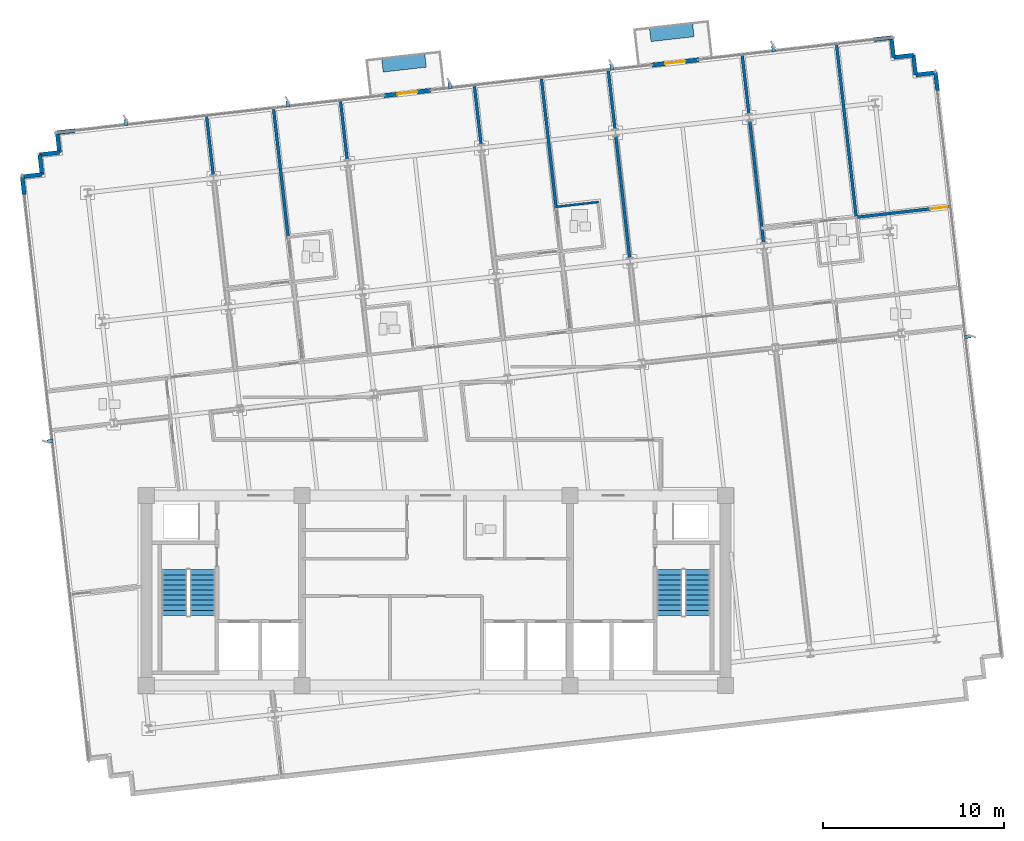
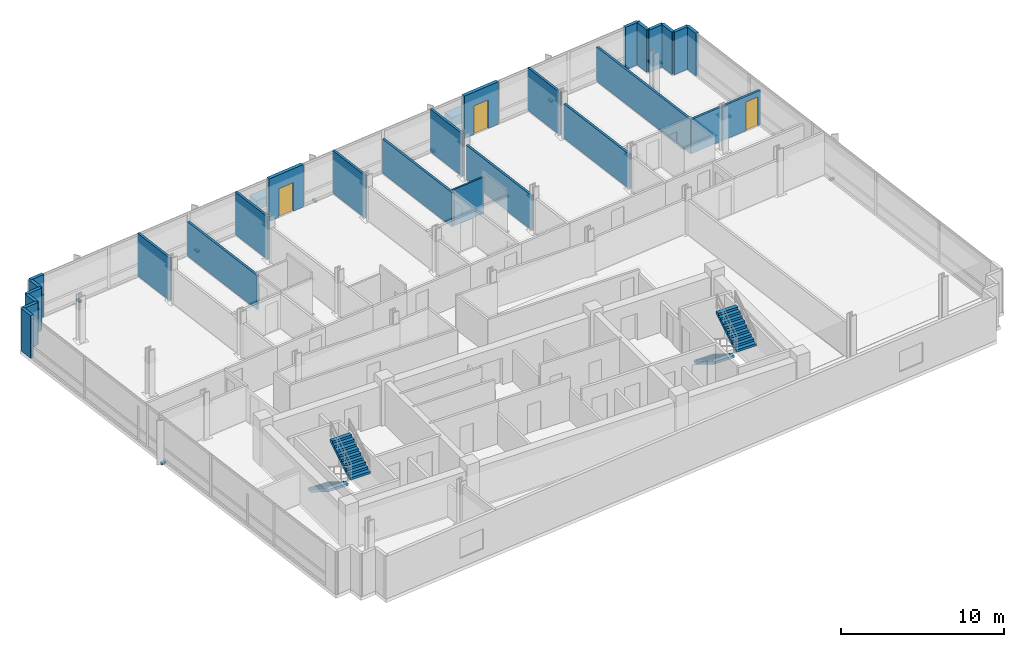
# One storey, part 11 of 16: 26 walls, 9 discrete accessories, 4 stair flights, 3 doors, 3 openings, 2 elements without a shape of their own.
"""IFC4 building model written with IfcOpenShell, lengths in metres."""

from ifc_helpers import new_model, si_unit, direction, frame, frame_2d, origin, origin_2d, place, context, subcontext, project, spatial, polyline, rectangle, outline, extrude, material, layer, layer_set, type_object, element, fill, aggregate, save


model = new_model("IFC4")

# Units and contexts
model_context = context("Model", 3, precision=1e-05, world=origin(), true_north=direction((0.0, 1.0)))
body_context = subcontext(model_context, "Body", "Model", "MODEL_VIEW")
ifc_project = project(units=[si_unit("LENGTHUNIT", "METRE"), si_unit("AREAUNIT", "SQUARE_METRE"), si_unit("VOLUMEUNIT", "CUBIC_METRE"), si_unit("PLANEANGLEUNIT", "RADIAN"), si_unit("MASSUNIT", "GRAM", prefix="KILO")], contexts=[model_context])

# Site, building, storey
site_placement = place(None, origin())
site = spatial("IfcSite", under=ifc_project, at=site_placement, CompositionType="ELEMENT")
building_placement = place(site_placement, origin())
building = spatial("IfcBuilding", under=site, at=building_placement, Name="Solmavex Isthmus Hotel", CompositionType="ELEMENT")
storey_placement = place(building_placement, frame((0.0, 0.0, 205.5)))
storey = spatial("IfcBuildingStorey", under=building, at=storey_placement, Name="L55", CompositionType="ELEMENT", Elevation=205.5)

# Wall, opening, door
ifc_material_1 = material(Name="Precast Concrete C40/50", Category="concrete")
ifc_layer_1 = layer(ifc_material_1, 0.25)
ifc_layer_set_1 = layer_set([ifc_layer_1], Name="Precast Concrete C40/50")
wall_type_1 = type_object("IfcWallType", Name="EW-TWR-250", PredefinedType="STANDARD", material=ifc_layer_set_1)
wall_1_placement = place(storey_placement, frame((-2.871337890625, 19.59326171875, 0.0), z_axis=(0.0, 0.0, 1.0), x_axis=(0.993577691497, 0.113151981689, 0.0)))
wall_1 = element("IfcWall", 1, at=wall_1_placement, inside=storey, type_object=wall_type_1, Name="Exterior Balcony Door Wall L55-2", PredefinedType="STANDARD", context=body_context, shape_type="SweptSolid", body=[
    extrude(rectangle(XDim=2.599853515625, YDim=0.239990234375, at=frame_2d((1.2998046875, 0.0))), origin(), (0.0, 0.0, 1.0), 3.18994140625),
])
opening_1_placement = place(wall_1_placement, frame((0.75, 0.0, 0.0)))
opening_1 = element("IfcOpeningElement", 2, at=opening_1_placement, cuts=wall_1, Name="Opening ED-02", PredefinedType="OPENING", context=body_context, shape_type="SweptSolid", body=[
    extrude(rectangle(XDim=1.10009765625, YDim=2.14990234375, at=frame_2d((0.550048828125, 1.074951171875))), frame((0.0, 0.1298828125, 0.0), z_axis=(0.0, -1.0, 0.0), x_axis=(1.0, 0.0, 0.0)), (0.0, 0.0, 1.0), 0.260009765625),
])
ifc_material_2 = material(Name="Aluminium alloy 6063-T6", Category="aluminium")
door_type_1 = type_object("IfcDoorType", Name="EDR-BALC-1100", OperationType="NOTDEFINED", PredefinedType="DOOR", material=ifc_material_2)
door_1_placement = place(opening_1_placement, origin())
door_1 = element("IfcDoor", 3, at=door_1_placement, inside=storey, type_object=door_type_1, Name="Balcony & Terrace Glazed Door L55-2", OperationType="SINGLE_SWING_RIGHT", OverallHeight=2.14990234375, OverallWidth=1.10009765625, PredefinedType="DOOR", context=body_context, shape_type="SweptSolid", body=[
    extrude(rectangle(XDim=1.10009765625, YDim=2.14990234375, at=frame_2d((0.550048828125, 1.074951171875))), frame((0.0, 0.02490234375, 0.0), z_axis=(0.0, -1.0, 0.0), x_axis=(1.0, 0.0, 0.0)), (0.0, 0.0, 1.0), 0.050048828125),
])
fill(opening_1, door_1)

wall_2_placement = place(storey_placement, frame((11.9248046875, 21.279052734375, 0.0), z_axis=(0.0, 0.0, 1.0), x_axis=(0.993567130319, 0.113244680008, 0.0)))
wall_2 = element("IfcWall", 4, at=wall_2_placement, inside=storey, type_object=wall_type_1, Name="Exterior Balcony Door Wall L55-3", PredefinedType="STANDARD", context=body_context, shape_type="SweptSolid", body=[
    extrude(rectangle(XDim=2.60009765625, YDim=0.239990234375, at=frame_2d((1.300048828125, 0.0))), origin(), (0.0, 0.0, 1.0), 3.18994140625),
])
opening_2_placement = place(wall_2_placement, frame((0.75, 0.0, 0.0)))
opening_2 = element("IfcOpeningElement", 5, at=opening_2_placement, cuts=wall_2, Name="Opening ED-02", PredefinedType="OPENING", context=body_context, shape_type="SweptSolid", body=[
    extrude(rectangle(XDim=1.10009765625, YDim=2.14990234375, at=frame_2d((0.550048828125, 1.074951171875))), frame((0.0, 0.1298828125, 0.0), z_axis=(0.0, -1.0, 0.0), x_axis=(1.0, 0.0, 0.0)), (0.0, 0.0, 1.0), 0.260009765625),
])
door_2_placement = place(opening_2_placement, origin())
door_2 = element("IfcDoor", 6, at=door_2_placement, inside=storey, type_object=door_type_1, Name="Balcony & Terrace Glazed Door L55-3", OperationType="SINGLE_SWING_LEFT", OverallHeight=2.14990234375, OverallWidth=1.10009765625, PredefinedType="DOOR", context=body_context, shape_type="SweptSolid", body=[
    extrude(rectangle(XDim=1.10009765625, YDim=2.14990234375, at=frame_2d((0.550048828125, 1.074951171875))), frame((0.0, 0.02490234375, 0.0), z_axis=(0.0, -1.0, 0.0), x_axis=(1.0, 0.0, 0.0)), (0.0, 0.0, 1.0), 0.050048828125),
])
fill(opening_2, door_2)

# Walls
wall_3_placement = place(storey_placement, frame((-22.74755859375, 14.128173828125, 0.0), z_axis=(0.0, 0.0, 1.0), x_axis=(-0.113191877531, 0.993573147212, 0.0)))
element("IfcWall", 7, at=wall_3_placement, inside=storey, type_object=wall_type_1, Name="Serrated Corner Facade Panel L55-07", PredefinedType="STANDARD", context=body_context, shape_type="SweptSolid", body=[
    extrude(rectangle(XDim=0.989990234375, YDim=0.219970703125, at=frame_2d((0.4951171875, 0.0))), origin(), (0.0, 0.0, 1.0), 3.18994140625),
])
wall_4_placement = place(storey_placement, frame((-22.859619140625, 15.11181640625, 0.0), z_axis=(0.0, 0.0, 1.0), x_axis=(0.99357409499, 0.113183557839, 0.0)))
element("IfcWall", 8, at=wall_4_placement, inside=storey, type_object=wall_type_1, Name="Serrated Corner Facade Panel L55-08", PredefinedType="STANDARD", context=body_context, shape_type="SweptSolid", body=[
    extrude(rectangle(XDim=1.10009765625, YDim=0.219970703125, at=frame_2d((0.550048828125, 0.0))), origin(), (0.0, 0.0, 1.0), 3.18994140625),
])
wall_5_placement = place(storey_placement, frame((-21.7666015625, 15.236328125, 0.0), z_axis=(0.0, 0.0, 1.0), x_axis=(-0.11320852056, 0.99357125103, 0.0)))
element("IfcWall", 9, at=wall_5_placement, inside=storey, type_object=wall_type_1, Name="Serrated Corner Facade Panel L55-09", PredefinedType="STANDARD", context=body_context, shape_type="SweptSolid", body=[
    extrude(rectangle(XDim=1.099853515625, YDim=0.219970703125, at=frame_2d((0.5498046875, 0.0))), origin(), (0.0, 0.0, 1.0), 3.18994140625),
])
for number, where, z_axis, x_axis, name in (
    (10, (-21.89111328125, 16.3291015625, 0.0), (0.0, 0.0, 1.0), (0.99357409499, 0.113183557839, 0.0), "Serrated Corner Facade Panel L55-10"),
    (11, (-20.798095703125, 16.45361328125, 0.0), (0.0, 0.0, 1.0), (-0.113402635104, 0.993549114212, 0.0), "Serrated Corner Facade Panel L55-11"),
):
    element("IfcWall", number, at=place(storey_placement, frame(where, z_axis=z_axis, x_axis=x_axis)), inside=storey, type_object=wall_type_1, Name=name, PredefinedType="STANDARD", context=body_context, shape_type="SweptSolid", body=[
        extrude(rectangle(XDim=1.10009765625, YDim=0.219970703125, at=frame_2d((0.550048828125, 0.0))), origin(), (0.0, 0.0, 1.0), 3.18994140625),
    ])
for number, where, z_axis, x_axis, name in (
    (12, (-20.9228515625, 17.546630859375, 0.0), (0.0, 0.0, 1.0), (0.993573147212, 0.113191877531, 0.0), "Serrated Corner Facade Panel L55-12"),
    (13, (24.175537109375, 22.684814453125, 0.0), (0.0, 0.0, 1.0), (0.993573147212, 0.113191877531, 0.0), "Serrated Corner Facade Panel L55-14"),
):
    element("IfcWall", number, at=place(storey_placement, frame(where, z_axis=z_axis, x_axis=x_axis)), inside=storey, type_object=wall_type_1, Name=name, PredefinedType="STANDARD", context=body_context, shape_type="SweptSolid", body=[
        extrude(rectangle(XDim=0.989990234375, YDim=0.219970703125, at=frame_2d((0.4951171875, 0.0))), origin(), (0.0, 0.0, 1.0), 3.18994140625),
    ])
for number, where, z_axis, x_axis, name in (
    (14, (25.1591796875, 22.796875, 0.0), (0.0, 0.0, 1.0), (0.11320852056, -0.99357125103, 0.0), "Serrated Corner Facade Panel L55-15"),
    (15, (25.28369140625, 21.7041015625, 0.0), (0.0, 0.0, 1.0), (0.99357125103, 0.11320852056, 0.0), "Serrated Corner Facade Panel L55-16"),
):
    element("IfcWall", number, at=place(storey_placement, frame(where, z_axis=z_axis, x_axis=x_axis)), inside=storey, type_object=wall_type_1, Name=name, PredefinedType="STANDARD", context=body_context, shape_type="SweptSolid", body=[
        extrude(rectangle(XDim=1.099853515625, YDim=0.219970703125, at=frame_2d((0.5498046875, 0.0))), origin(), (0.0, 0.0, 1.0), 3.18994140625),
    ])
wall_6_placement = place(storey_placement, frame((26.37646484375, 21.82861328125, 0.0), z_axis=(0.0, 0.0, 1.0), x_axis=(0.113402635104, -0.993549114212, 0.0)))
element("IfcWall", 16, at=wall_6_placement, inside=storey, type_object=wall_type_1, Name="Serrated Corner Facade Panel L55-17", PredefinedType="STANDARD", context=body_context, shape_type="SweptSolid", body=[
    extrude(rectangle(XDim=1.10009765625, YDim=0.219970703125, at=frame_2d((0.550048828125, 0.0))), origin(), (0.0, 0.0, 1.0), 3.18994140625),
])
wall_7_placement = place(storey_placement, frame((26.501220703125, 20.735595703125, 0.0), z_axis=(0.0, 0.0, 1.0), x_axis=(0.99357125103, 0.11320852056, 0.0)))
element("IfcWall", 17, at=wall_7_placement, inside=storey, type_object=wall_type_1, Name="Serrated Corner Facade Panel L55-18", PredefinedType="STANDARD", context=body_context, shape_type="SweptSolid", body=[
    extrude(rectangle(XDim=1.099853515625, YDim=0.219970703125, at=frame_2d((0.5498046875, 0.0))), origin(), (0.0, 0.0, 1.0), 3.18994140625),
])
wall_8_placement = place(storey_placement, frame((27.593994140625, 20.860107421875, 0.0), z_axis=(0.0, 0.0, 1.0), x_axis=(0.113191877531, -0.993573147212, 0.0)))
element("IfcWall", 18, at=wall_8_placement, inside=storey, type_object=wall_type_1, Name="Serrated Corner Facade Panel L55-19", PredefinedType="STANDARD", context=body_context, shape_type="SweptSolid", body=[
    extrude(rectangle(XDim=0.989990234375, YDim=0.219970703125, at=frame_2d((0.4951171875, 0.0))), origin(), (0.0, 0.0, 1.0), 3.18994140625),
])
ifc_material_3 = material(Name="Gypsum plasterboard lining", Category="gypsum")
ifc_layer_2 = layer(ifc_material_3, 0.159912109375)
ifc_layer_set_2 = layer_set([ifc_layer_2], Name="Gypsum plasterboard lining")
wall_type_2 = type_object("IfcWallType", Name="IW-COMP-160", PredefinedType="PARTITIONING", material=ifc_layer_set_2)
wall_9_placement = place(storey_placement, frame((-12.681396484375, 18.515869140625, 0.0), z_axis=(0.0, 0.0, 1.0), x_axis=(0.113171804991, -0.993575433752, 0.0)))
element("IfcWall", 19, at=wall_9_placement, inside=storey, type_object=wall_type_2, Name="Interior Partition Wall W-L55-P028", PredefinedType="PARTITIONING", context=body_context, shape_type="SweptSolid", body=[
    extrude(rectangle(XDim=3.34375, YDim=0.159912109375, at=frame_2d((1.671875, 0.0))), origin(), (0.0, 0.0, 1.0), 3.18994140625),
])
wall_10_placement = place(storey_placement, frame((-8.96875, 18.81787109375, 0.0), z_axis=(0.0, 0.0, 1.0), x_axis=(0.113202494332, -0.993571937646, 0.0)))
element("IfcWall", 20, at=wall_10_placement, inside=storey, type_object=wall_type_2, Name="Interior Partition Wall W-L55-P032", PredefinedType="PARTITIONING", context=body_context, shape_type="SweptSolid", body=[
    extrude(rectangle(XDim=7.183837890625, YDim=0.159912109375, at=frame_2d((3.591796875, 0.0))), origin(), (0.0, 0.0, 1.0), 2.5576171875),
])
wall_11_placement = place(storey_placement, frame((-5.283447265625, 19.358642578125, 0.0), z_axis=(0.0, 0.0, 1.0), x_axis=(0.113252098743, -0.993566284719, 0.0)))
element("IfcWall", 21, at=wall_11_placement, inside=storey, type_object=wall_type_2, Name="Interior Partition Wall W-L55-P037", PredefinedType="PARTITIONING", context=body_context, shape_type="SweptSolid", body=[
    extrude(rectangle(XDim=3.343505859375, YDim=0.159912109375, at=frame_2d((1.671875, 0.0))), origin(), (0.0, 0.0, 1.0), 3.18994140625),
])
wall_12_placement = place(storey_placement, frame((2.11474609375, 20.20166015625, 0.0), z_axis=(0.0, 0.0, 1.0), x_axis=(0.113243883011, -0.993567221158, 0.0)))
element("IfcWall", 22, at=wall_12_placement, inside=storey, type_object=wall_type_2, Name="Interior Partition Wall W-L55-P044", PredefinedType="PARTITIONING", context=body_context, shape_type="SweptSolid", body=[
    extrude(rectangle(XDim=3.34375, YDim=0.159912109375, at=frame_2d((1.671875, 0.0))), origin(), (0.0, 0.0, 1.0), 3.18994140625),
])
wall_13_placement = place(storey_placement, frame((5.827392578125, 20.50390625, 0.0), z_axis=(0.0, 0.0, 1.0), x_axis=(0.113198672056, -0.993572373129, 0.0)))
element("IfcWall", 23, at=wall_13_placement, inside=storey, type_object=wall_type_2, Name="Interior Partition Wall W-L55-P047", PredefinedType="PARTITIONING", context=body_context, shape_type="SweptSolid", body=[
    extrude(rectangle(XDim=7.18408203125, YDim=0.159912109375, at=frame_2d((3.592041015625, 0.0))), origin(), (0.0, 0.0, 1.0), 2.5576171875),
])
wall_14_placement = place(storey_placement, frame((9.512939453125, 21.04443359375, 0.0), z_axis=(0.0, 0.0, 1.0), x_axis=(0.113180015629, -0.993574498496, 0.0)))
element("IfcWall", 24, at=wall_14_placement, inside=storey, type_object=wall_type_2, Name="Interior Partition Wall W-L55-P052", PredefinedType="PARTITIONING", context=body_context, shape_type="SweptSolid", body=[
    extrude(rectangle(XDim=3.343505859375, YDim=0.159912109375, at=frame_2d((1.671875, 0.0))), origin(), (0.0, 0.0, 1.0), 3.18994140625),
])
wall_15_placement = place(storey_placement, frame((9.931396484375, 17.371826171875, 0.0), z_axis=(0.0, 0.0, 1.0), x_axis=(0.113217453743, -0.993570233133, 0.0)))
element("IfcWall", 25, at=wall_15_placement, inside=storey, type_object=wall_type_2, Name="Interior Partition Wall W-L55-P053", PredefinedType="PARTITIONING", context=body_context, shape_type="SweptSolid", body=[
    extrude(rectangle(XDim=6.799072265625, YDim=0.159912109375, at=frame_2d((3.3994140625, 0.0))), origin(), (0.0, 0.0, 1.0), 2.572265625),
])
wall_16_placement = place(storey_placement, frame((17.32958984375, 18.21484375, 0.0), z_axis=(0.0, 0.0, 1.0), x_axis=(0.113177968069, -0.993574731736, 0.0)))
element("IfcWall", 26, at=wall_16_placement, inside=storey, type_object=wall_type_2, Name="Interior Partition Wall W-L55-P055", PredefinedType="PARTITIONING", context=body_context, shape_type="SweptSolid", body=[
    extrude(rectangle(XDim=6.79931640625, YDim=0.159912109375, at=frame_2d((3.399658203125, 0.0))), origin(), (0.0, 0.0, 1.0), 2.572265625),
])
wall_17_placement = place(storey_placement, frame((16.9111328125, 21.887451171875, 0.0), z_axis=(0.0, 0.0, 1.0), x_axis=(0.113171804991, -0.993575433752, 0.0)))
element("IfcWall", 27, at=wall_17_placement, inside=storey, type_object=wall_type_2, Name="Interior Partition Wall W-L55-P057", PredefinedType="PARTITIONING", context=body_context, shape_type="SweptSolid", body=[
    extrude(rectangle(XDim=3.34375, YDim=0.159912109375, at=frame_2d((1.671875, 0.0))), origin(), (0.0, 0.0, 1.0), 3.18994140625),
])

# Wall, opening, door
wall_18_placement = place(storey_placement, frame((23.176513671875, 12.86669921875, 0.0), z_axis=(0.0, 0.0, 1.0), x_axis=(0.993570013337, 0.113219382606, 0.0)))
wall_18 = element("IfcWall", 28, at=wall_18_placement, inside=storey, type_object=wall_type_2, Name="Interior Partition Wall W-L55-P059", PredefinedType="PARTITIONING", context=body_context, shape_type="SweptSolid", body=[
    extrude(rectangle(XDim=5.323974609375, YDim=0.159912109375, at=frame_2d((2.662109375, 0.0))), origin(), (0.0, 0.0, 1.0), 2.5576171875),
])
opening_3_placement = place(wall_18_placement, frame((4.1640625, 0.0, 0.0)))
opening_3 = element("IfcOpeningElement", 29, at=opening_3_placement, cuts=wall_18, Name="Opening ID-C095", PredefinedType="OPENING", context=body_context, shape_type="SweptSolid", body=[
    extrude(rectangle(XDim=0.949951171875, YDim=2.14990234375, at=frame_2d((0.47509765625, 1.074951171875))), frame((0.0, 0.08984375, 0.0), z_axis=(0.0, -1.0, 0.0), x_axis=(1.0, 0.0, 0.0)), (0.0, 0.0, 1.0), 0.179931640625),
])
ifc_material_4 = material(Name="Hardwood timber", Category="wood")
door_type_2 = type_object("IfcDoorType", Name="IDR-FD60-0950", OperationType="NOTDEFINED", PredefinedType="DOOR", material=ifc_material_4)
door_3_placement = place(opening_3_placement, origin())
door_3 = element("IfcDoor", 30, at=door_3_placement, inside=storey, type_object=door_type_2, Name="Diplomatic Hospitality Suite Sitting Lounge Door L55-15", OperationType="SINGLE_SWING_LEFT", OverallHeight=2.14990234375, OverallWidth=0.949951171875, PredefinedType="DOOR", context=body_context, shape_type="SweptSolid", body=[
    extrude(rectangle(XDim=0.949951171875, YDim=2.14990234375, at=frame_2d((0.47509765625, 1.074951171875))), frame((0.0, 0.02490234375, 0.0), z_axis=(0.0, -1.0, 0.0), x_axis=(1.0, 0.0, 0.0)), (0.0, 0.0, 1.0), 0.050048828125),
])
fill(opening_3, door_3)

# Walls
wall_19_placement = place(storey_placement, frame((22.121337890625, 22.48095703125, 0.0), z_axis=(0.0, 0.0, 1.0), x_axis=(0.113198474286, -0.993572395661, 0.0)))
element("IfcWall", 31, at=wall_19_placement, inside=storey, type_object=wall_type_2, Name="Interior Partition Wall W-L55-P064", PredefinedType="PARTITIONING", context=body_context, shape_type="SweptSolid", body=[
    extrude(rectangle(XDim=9.7119140625, YDim=0.159912109375, at=frame_2d((4.85595703125, 0.0))), origin(), (0.0, 0.0, 1.0), 2.5576171875),
])
ifc_layer_3 = layer(ifc_material_3, 0.1201171875)
ifc_layer_set_3 = layer_set([ifc_layer_3], Name="Gypsum plasterboard lining")
wall_type_3 = type_object("IfcWallType", Name="IW-PART-120", PredefinedType="PARTITIONING", material=ifc_layer_set_3)
wall_20_placement = place(storey_placement, frame((8.979248046875, 13.715087890625, 0.0), z_axis=(0.0, 0.0, 1.0), x_axis=(-0.993562439402, -0.11328582881, 0.0)))
element("IfcWall", 32, at=wall_20_placement, inside=storey, type_object=wall_type_3, Name="Interior Partition Wall W-L55-P051", PredefinedType="PARTITIONING", context=body_context, shape_type="SweptSolid", body=[
    extrude(rectangle(XDim=2.40283203125, YDim=0.1201171875, at=frame_2d((1.201416015625, 0.0))), origin(), (0.0, 0.0, 1.0), 2.718017578125),
])

# Stair, stair flights
ifc_material_5 = material(Name="Concrete C40/50", Category="concrete")
stair_type_1 = type_object("IfcStairType", Name="STR-ST-1", PredefinedType="HALF_TURN_STAIR", material=ifc_material_5)
stair_1_placement = place(storey_placement, origin())
stair_1 = element("IfcStair", 33, at=stair_1_placement, inside=storey, type_object=stair_type_1, Name="L55 Protected Exit Stair ST-1", PredefinedType="HALF_TURN_STAIR")
stair_flight_type_1 = type_object("IfcStairFlightType", Name="SFL-ST-1", PredefinedType="STRAIGHT", material=ifc_material_5)
stair_flight_1_placement = place(storey_placement, frame((-14.449951171875, -6.60009765625, 0.0), z_axis=(0.0, 0.0, 1.0), x_axis=(0.0, -1.0, 0.0)))
stair_flight_1 = element("IfcStairFlight", 34, at=stair_flight_1_placement, type_object=stair_flight_type_1, Name="ST-1 flight 1", NumberOfRisers=10, NumberOfTreads=9, PredefinedType="STRAIGHT", RiserHeight=0.1725, TreadLength=0.28, context=body_context, shape_type="SweptSolid", body=[
    extrude(outline(polyline([(0.0, 0.0), (0.0, 0.172607421875), (0.280029296875, 0.172607421875), (0.280029296875, 0.344970703125), (0.56005859375, 0.344970703125), (0.56005859375, 0.517578125), (0.840087890625, 0.517578125), (0.840087890625, 0.68994140625), (1.1201171875, 0.68994140625), (1.1201171875, 0.862548828125), (1.39990234375, 0.862548828125), (1.39990234375, 1.034912109375), (1.679931640625, 1.034912109375), (1.679931640625, 1.20751953125), (1.9599609375, 1.20751953125), (1.9599609375, 1.3798828125), (2.239990234375, 1.3798828125), (2.239990234375, 1.552490234375), (2.52001953125, 1.552490234375), (2.52001953125, 1.72509765625), (2.52001953125, 1.37646484375), (0.285888671875, 0.0), (0.0, 0.0)])), frame((0.0, 0.699951171875, 0.0), z_axis=(0.0, -1.0, 0.0), x_axis=(1.0, 0.0, 0.0)), (0.0, 0.0, 1.0), 1.39990234375),
])
stair_flight_2_placement = place(storey_placement, frame((-12.89990234375, -9.1201171875, 1.72509765625), z_axis=(0.0, 0.0, 1.0), x_axis=(0.0, 1.0, 0.0)))
stair_flight_2 = element("IfcStairFlight", 35, at=stair_flight_2_placement, type_object=stair_flight_type_1, Name="ST-1 flight 2", NumberOfRisers=10, NumberOfTreads=9, PredefinedType="STRAIGHT", RiserHeight=0.1725, TreadLength=0.28, context=body_context, shape_type="SweptSolid", body=[
    extrude(outline(polyline([(0.0, 0.0), (0.0, 0.172607421875), (0.280029296875, 0.172607421875), (0.280029296875, 0.344970703125), (0.56005859375, 0.344970703125), (0.56005859375, 0.517578125), (0.840087890625, 0.517578125), (0.840087890625, 0.68994140625), (1.1201171875, 0.68994140625), (1.1201171875, 0.862548828125), (1.39990234375, 0.862548828125), (1.39990234375, 1.034912109375), (1.679931640625, 1.034912109375), (1.679931640625, 1.20751953125), (1.9599609375, 1.20751953125), (1.9599609375, 1.3798828125), (2.239990234375, 1.3798828125), (2.239990234375, 1.552490234375), (2.52001953125, 1.552490234375), (2.52001953125, 1.72509765625), (2.52001953125, 1.37646484375), (0.285888671875, 0.0), (0.0, 0.0)])), frame((0.0, 0.699951171875, 0.0), z_axis=(0.0, -1.0, 0.0), x_axis=(1.0, 0.0, 0.0)), (0.0, 0.0, 1.0), 1.39990234375),
])
aggregate(stair_1, [stair_flight_1, stair_flight_2])

stair_type_2 = type_object("IfcStairType", Name="STR-ST-2", PredefinedType="HALF_TURN_STAIR", material=ifc_material_5)
stair_2_placement = place(storey_placement, origin())
stair_2 = element("IfcStair", 36, at=stair_2_placement, inside=storey, type_object=stair_type_2, Name="L55 Protected Exit Stair ST-2", PredefinedType="HALF_TURN_STAIR")
stair_flight_type_2 = type_object("IfcStairFlightType", Name="SFL-ST-2", PredefinedType="STRAIGHT", material=ifc_material_5)
stair_flight_3_placement = place(storey_placement, frame((12.89990234375, -6.60009765625, 0.0), z_axis=(0.0, 0.0, 1.0), x_axis=(0.0, -1.0, 0.0)))
stair_flight_3 = element("IfcStairFlight", 37, at=stair_flight_3_placement, type_object=stair_flight_type_2, Name="ST-2 flight 1", NumberOfRisers=10, NumberOfTreads=9, PredefinedType="STRAIGHT", RiserHeight=0.1725, TreadLength=0.28, context=body_context, shape_type="SweptSolid", body=[
    extrude(outline(polyline([(0.0, 0.0), (0.0, 0.172607421875), (0.280029296875, 0.172607421875), (0.280029296875, 0.344970703125), (0.56005859375, 0.344970703125), (0.56005859375, 0.517578125), (0.840087890625, 0.517578125), (0.840087890625, 0.68994140625), (1.1201171875, 0.68994140625), (1.1201171875, 0.862548828125), (1.39990234375, 0.862548828125), (1.39990234375, 1.034912109375), (1.679931640625, 1.034912109375), (1.679931640625, 1.20751953125), (1.9599609375, 1.20751953125), (1.9599609375, 1.3798828125), (2.239990234375, 1.3798828125), (2.239990234375, 1.552490234375), (2.52001953125, 1.552490234375), (2.52001953125, 1.72509765625), (2.52001953125, 1.37646484375), (0.285888671875, 0.0), (0.0, 0.0)])), frame((0.0, 0.699951171875, 0.0), z_axis=(0.0, -1.0, 0.0), x_axis=(1.0, 0.0, 0.0)), (0.0, 0.0, 1.0), 1.39990234375),
])
stair_flight_4_placement = place(storey_placement, frame((14.449951171875, -9.1201171875, 1.72509765625), z_axis=(0.0, 0.0, 1.0), x_axis=(0.0, 1.0, 0.0)))
stair_flight_4 = element("IfcStairFlight", 38, at=stair_flight_4_placement, type_object=stair_flight_type_2, Name="ST-2 flight 2", NumberOfRisers=10, NumberOfTreads=9, PredefinedType="STRAIGHT", RiserHeight=0.1725, TreadLength=0.28, context=body_context, shape_type="SweptSolid", body=[
    extrude(outline(polyline([(0.0, 0.0), (0.0, 0.172607421875), (0.280029296875, 0.172607421875), (0.280029296875, 0.344970703125), (0.56005859375, 0.344970703125), (0.56005859375, 0.517578125), (0.840087890625, 0.517578125), (0.840087890625, 0.68994140625), (1.1201171875, 0.68994140625), (1.1201171875, 0.862548828125), (1.39990234375, 0.862548828125), (1.39990234375, 1.034912109375), (1.679931640625, 1.034912109375), (1.679931640625, 1.20751953125), (1.9599609375, 1.20751953125), (1.9599609375, 1.3798828125), (2.239990234375, 1.3798828125), (2.239990234375, 1.552490234375), (2.52001953125, 1.552490234375), (2.52001953125, 1.72509765625), (2.52001953125, 1.37646484375), (0.285888671875, 0.0), (0.0, 0.0)])), frame((0.0, 0.699951171875, 0.0), z_axis=(0.0, -1.0, 0.0), x_axis=(1.0, 0.0, 0.0)), (0.0, 0.0, 1.0), 1.39990234375),
])
aggregate(stair_2, [stair_flight_3, stair_flight_4])

# Discrete accessories
ifc_material_6 = material(Name="Steel ASTM A572 Grade 50", Category="steel")
discrete_accessory_type_1 = type_object("IfcDiscreteAccessoryType", Name="ACC-BRK-FIN", PredefinedType="BRACKET", material=ifc_material_6)
for number, where, z_axis, x_axis, name in (
    (39, (-17.1220703125, 18.1103515625, -0.169921875), (0.0, 0.0, 1.0), (-0.113203213768, 0.993571855677, 0.0), "Facade Fin Support Bracket L55-N1"),
    (40, (-8.179931640625, 19.12939453125, -0.169921875), (0.0, 0.0, 1.0), (-0.113203213768, 0.993571855677, 0.0), "Facade Fin Support Bracket L55-N2"),
    (41, (0.76220703125, 20.148193359375, -0.169921875), (0.0, 0.0, 1.0), (-0.113203213768, 0.993571855677, 0.0), "Facade Fin Support Bracket L55-N3"),
    (42, (9.704345703125, 21.1669921875, -0.169921875), (0.0, 0.0, 1.0), (-0.113203213768, 0.993571855677, 0.0), "Facade Fin Support Bracket L55-N4"),
    (43, (18.646484375, 22.185791015625, -0.169921875), (0.0, 0.0, 1.0), (-0.113203213768, 0.993571855677, 0.0), "Facade Fin Support Bracket L55-N5"),
    (44, (-21.32568359375, 0.50146484375, -0.169921875), (0.0, 0.0, 1.0), (-0.993571855677, -0.113203213768, 0.0), "Facade Fin Support Bracket L55-W1"),
    (45, (29.38623046875, 6.279296875, -0.169921875), (0.0, 0.0, 1.0), (0.993571855677, 0.113203213768, 0.0), "Facade Fin Support Bracket L55-E1"),
):
    element("IfcDiscreteAccessory", number, at=place(storey_placement, frame(where, z_axis=z_axis, x_axis=x_axis)), inside=storey, type_object=discrete_accessory_type_1, Name=name, PredefinedType="BRACKET", context=body_context, shape_type="SweptSolid", body=[
        extrude(rectangle(XDim=0.340087890625, YDim=0.179931640625, at=origin_2d()), origin(), (0.0, 0.0, 1.0), 0.159912109375),
    ])
discrete_accessory_type_2 = type_object("IfcDiscreteAccessoryType", Name="ACC-PLN-BALC", PredefinedType="USERDEFINED", material=ifc_material_1)
for number, where, z_axis, x_axis, name in (
    (46, (-1.768798828125, 21.399658203125, 0.0), (0.0, 0.0, 1.0), (0.993571855677, 0.113203213768, 0.0), "Tree-Balcony Architectural Planter L55-B1"),
    (47, (13.027587890625, 23.08544921875, 0.0), (0.0, 0.0, 1.0), (0.993571855677, 0.113203213768, 0.0), "Tree-Balcony Architectural Planter L55-B2"),
):
    element("IfcDiscreteAccessory", number, at=place(storey_placement, frame(where, z_axis=z_axis, x_axis=x_axis)), inside=storey, type_object=discrete_accessory_type_2, Name=name, ObjectType="PLANTER", PredefinedType="USERDEFINED", context=body_context, shape_type="SweptSolid", body=[
        extrude(rectangle(XDim=2.39990234375, YDim=0.75, at=origin_2d()), origin(), (0.0, 0.0, 1.0), 0.699951171875),
    ])

save(model, "model.ifc")
